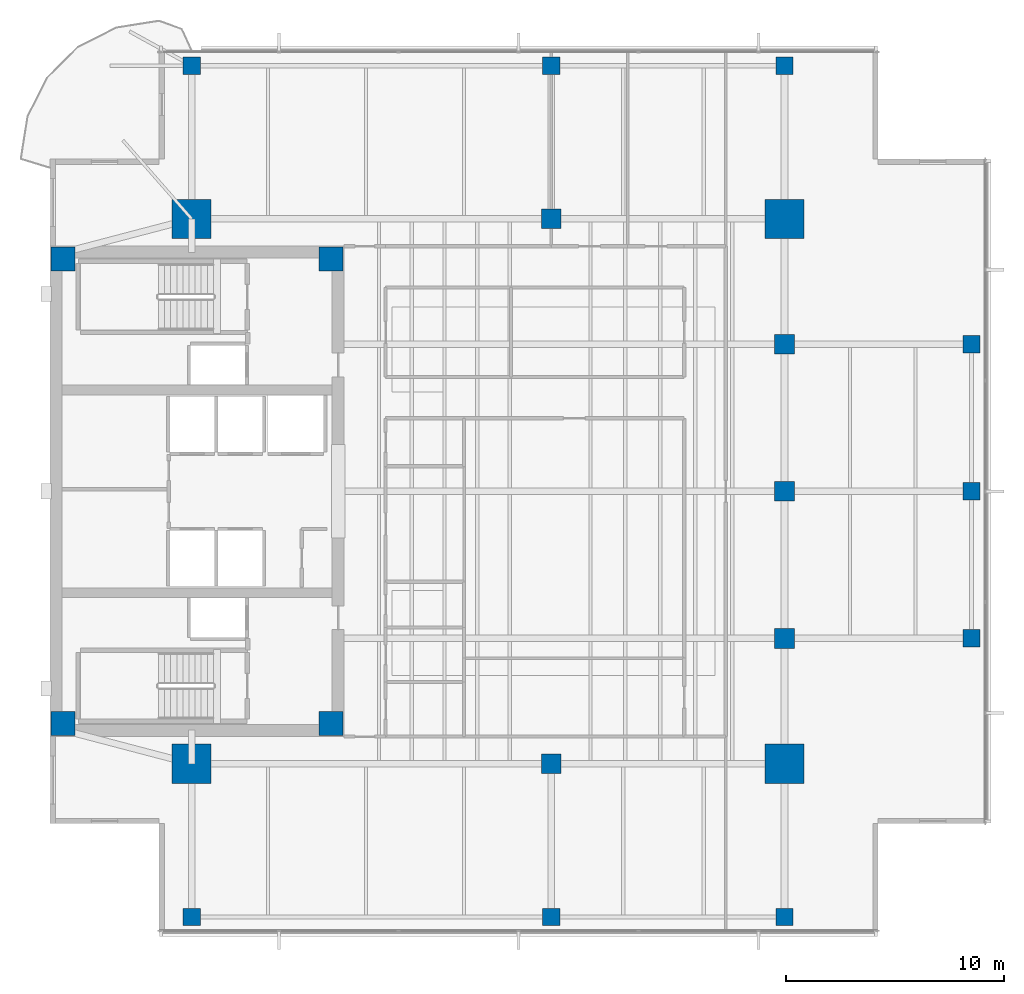
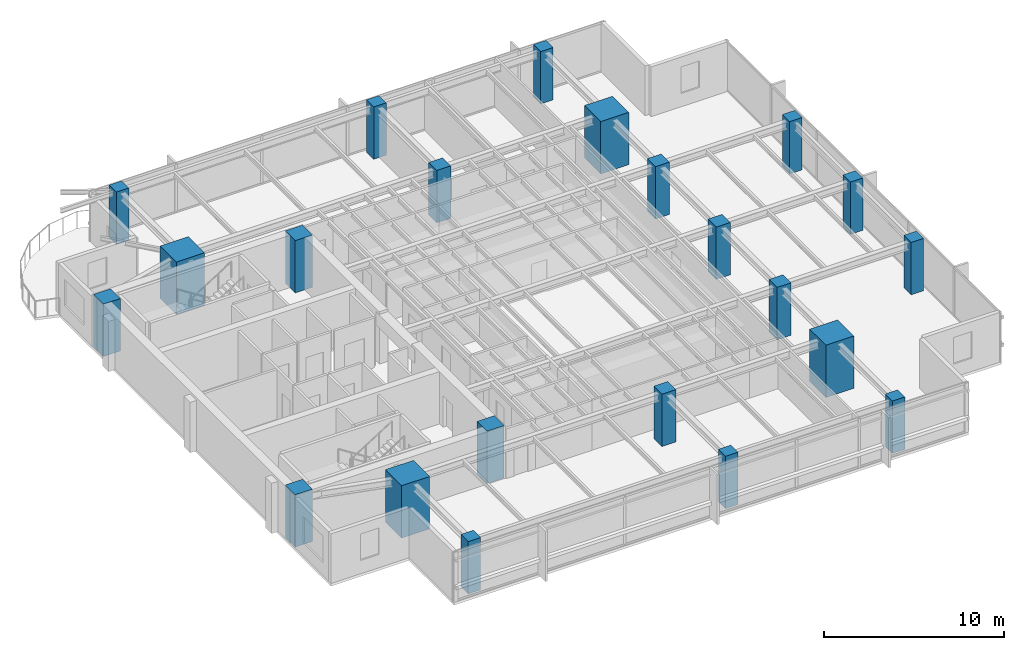
# One storey, part 1 of 14: 22 columns.
"""IFC4 building model written with IfcOpenShell, lengths in metres."""

import ifcopenshell
import ifcopenshell.guid

model = None  # the IFC model being written
_history = None  # IfcOwnerHistory: only IFC2X3 demands one
_inside = {}  # id of a spatial element -> (the spatial element, [elements in it])
_under = {}  # id of a project, library or spatial element -> (it, [spatial elements below it])
_declared = {}  # id of a project -> (the project, [libraries it declares])
_typed = {}  # id of a type object -> (the type object, [elements of that type])
_made_of = {}  # id of a material, layer set ... -> (it, [elements and type objects made of it])


def new_model(schema):
    """Start an empty IFC model of exactly this schema.

    Asked for "IFC4X3", IfcOpenShell would pick the latest addendum, in which some entities
    have other attributes; the version numbers below select the first issue.
    IFC2X3 requires an IfcOwnerHistory on every rooted entity: one is made here for all.
    """
    global model, _history
    if schema == "IFC4X3":
        model = ifcopenshell.file(schema_version=(4, 3, 0, 0))
    else:
        model = ifcopenshell.file(schema=schema)
    _inside.clear()
    _under.clear()
    _declared.clear()
    _typed.clear()
    _made_of.clear()
    _history = None
    if model.schema == "IFC2X3":
        org = make("IfcOrganization", Name="unknown")
        user = make(
            "IfcPersonAndOrganization",
            ThePerson=make("IfcPerson", FamilyName="unknown"),
            TheOrganization=org,
        )
        app = make(
            "IfcApplication",
            ApplicationDeveloper=org,
            Version="unknown",
            ApplicationFullName="unknown",
            ApplicationIdentifier="unknown",
        )
        _history = make(
            "IfcOwnerHistory",
            OwningUser=user,
            OwningApplication=app,
            ChangeAction="ADDED",
            CreationDate=0,
        )
    return model


def make(cls, **values):
    """One entity of the class cls with the attributes given. An attribute that is None is left unset."""
    return model.create_entity(
        cls, **{name: value for name, value in values.items() if value is not None}
    )


def rooted(cls, **values):
    """An entity with a GlobalId (a new one), such as an element, a storey or a relation."""
    return make(cls, GlobalId=ifcopenshell.guid.new(), OwnerHistory=_history, **values)


def si_unit(unit_type, name, prefix=None):
    """IfcSIUnit, for example si_unit("LENGTHUNIT", "METRE", prefix="MILLI")."""
    return make("IfcSIUnit", UnitType=unit_type, Prefix=prefix, Name=name)


def assignment(units):
    """IfcUnitAssignment: the units of a project."""
    return None if units is None else make("IfcUnitAssignment", Units=units)


def point(xyz):
    """IfcCartesianPoint."""
    return None if xyz is None else make("IfcCartesianPoint", Coordinates=xyz)


def direction(xyz):
    """IfcDirection."""
    return None if xyz is None else make("IfcDirection", DirectionRatios=xyz)


def frame(location, z_axis=None, x_axis=None):
    """IfcAxis2Placement3D, a coordinate frame: its origin and axes. An axis left out is left unset."""
    return make(
        "IfcAxis2Placement3D",
        Location=point(location),
        Axis=direction(z_axis),
        RefDirection=direction(x_axis),
    )


def frame_2d(location, x_axis=None):
    """IfcAxis2Placement2D, a coordinate frame in the plane: its origin and x axis."""
    return make(
        "IfcAxis2Placement2D", Location=point(location), RefDirection=direction(x_axis)
    )


def origin():
    """The frame at (0, 0, 0) with its axes left unset."""
    return frame((0.0, 0.0, 0.0))


def origin_2d():
    """The frame at (0, 0) in the plane with its x axis left unset."""
    return frame_2d((0.0, 0.0))


def place(relative_to, where):
    """IfcLocalPlacement: puts the frame where relative to a parent placement (None: the world)."""
    return make(
        "IfcLocalPlacement", PlacementRelTo=relative_to, RelativePlacement=where
    )


def context(
    kind, dimensions, precision=None, world=None, true_north=None, identifier=None
):
    """IfcGeometricRepresentationContext, for example the 3D "Model" context."""
    return make(
        "IfcGeometricRepresentationContext",
        ContextIdentifier=identifier,
        ContextType=kind,
        CoordinateSpaceDimension=dimensions,
        Precision=precision,
        WorldCoordinateSystem=world,
        TrueNorth=true_north,
    )


def subcontext(parent, identifier, kind, view, scale=None):
    """IfcGeometricRepresentationSubContext, for example "Body" below "Model"."""
    return make(
        "IfcGeometricRepresentationSubContext",
        ContextIdentifier=identifier,
        ContextType=kind,
        ParentContext=parent,
        TargetScale=scale,
        TargetView=view,
    )


def project(units=None, contexts=None):
    """IfcProject with its units and contexts."""
    return rooted(
        "IfcProject",
        Name="project",
        RepresentationContexts=contexts,
        UnitsInContext=assignment(units),
    )


def spatial(cls, under=None, at=None, **own):
    """A site, building, storey or space (cls), placed at a placement, below another one or the project."""
    s = rooted(cls, ObjectPlacement=at, **own)
    if under is not None:
        _under.setdefault(under.id(), (under, []))[1].append(s)
    return s


def profile(cls, at=None, kind="AREA", **sizes):
    """A parametric profile (cls). Its sizes go by their IFC names, for example OverallWidth=200.0."""
    return make(cls, ProfileType=kind, Position=at, **sizes)


def rectangle(**sizes):
    """IfcRectangleProfileDef."""
    return profile("IfcRectangleProfileDef", **sizes)


def extrude(swept, where, along, depth):
    """IfcExtrudedAreaSolid: the profile swept, set in the frame where, extruded along a direction by depth."""
    return make(
        "IfcExtrudedAreaSolid",
        SweptArea=swept,
        Position=where,
        ExtrudedDirection=direction(along),
        Depth=depth,
    )


def shape(context_of_items, identifier, shape_type, items):
    """IfcShapeRepresentation: the items that make up one representation, for example the "Body"."""
    return make(
        "IfcShapeRepresentation",
        ContextOfItems=context_of_items,
        RepresentationIdentifier=identifier,
        RepresentationType=shape_type,
        Items=items,
    )


def material(Name=None, Category=None):
    """IfcMaterial."""
    return make("IfcMaterial", Name=Name, Category=Category)


def material_profile(
    of_material, cross_section, Name=None, Category=None, Priority=None
):
    """IfcMaterialProfile: a cross section and its material."""
    return make(
        "IfcMaterialProfile",
        Name=Name,
        Material=of_material,
        Profile=cross_section,
        Priority=Priority,
        Category=Category,
    )


def profile_set(profiles, Name=None, composite=None):
    """IfcMaterialProfileSet."""
    return make(
        "IfcMaterialProfileSet",
        Name=Name,
        MaterialProfiles=profiles,
        CompositeProfile=composite,
    )


def made_of(thing, what):
    """Note that an element or type object is made of a material, layer set ...; save() writes the relation."""
    if what is not None:
        _made_of.setdefault(what.id(), (what, []))[1].append(thing)
    return thing


def type_object(cls, material=None, **own):
    """A type object (cls), such as IfcWallType, which elements share."""
    return made_of(rooted(cls, **own), material)


def element(
    cls,
    number,
    at=None,
    inside=None,
    cuts=None,
    type_object=None,
    material=None,
    context=None,
    identifier="Body",
    shape_type=None,
    held_by="IfcProductDefinitionShape",
    body=None,
    shapes=None,
    **own,
):
    """One element of the class cls, such as IfcWall. Its Tag is "e" and its number.

    at: its placement. inside: the storey or other place that contains it. cuts: it is an
    opening in that element (IfcRelVoidsElement). A single representation is given by context,
    identifier, shape_type and body (its items); several are given by shapes. held_by: the class
    of the entity that holds the representations. save() writes the other relations.
    """
    e = rooted(cls, Tag="e%d" % number, ObjectPlacement=at, **own)
    if body is not None:
        shapes = [shape(context, identifier, shape_type, body)]
    if shapes is not None:
        e.Representation = make(held_by, Representations=shapes)
    if inside is not None:
        _inside.setdefault(inside.id(), (inside, []))[1].append(e)
    if cuts is not None:
        rooted(
            "IfcRelVoidsElement", RelatingBuildingElement=cuts, RelatedOpeningElement=e
        )
    if type_object is not None:
        _typed.setdefault(type_object.id(), (type_object, []))[1].append(e)
    return made_of(e, material)


def aggregate(whole, parts):
    """IfcRelAggregates: a whole, such as a stair, and the parts it consists of."""
    return rooted("IfcRelAggregates", RelatingObject=whole, RelatedObjects=parts)


def save(model, path):
    """Write the relations noted so far, then the file.

    IfcRelAggregates (storeys below a building ...), IfcRelContainedInSpatialStructure (elements
    in a storey), IfcRelDefinesByType, IfcRelAssociatesMaterial and IfcRelDeclares: one each for
    every whole, place, type object, material and project.
    """
    for whole, parts in _under.values():
        aggregate(whole, parts)
    for where, things in _inside.values():
        rooted(
            "IfcRelContainedInSpatialStructure",
            RelatedElements=things,
            RelatingStructure=where,
        )
    for kind, things in _typed.values():
        rooted("IfcRelDefinesByType", RelatedObjects=things, RelatingType=kind)
    for what, things in _made_of.values():
        rooted("IfcRelAssociatesMaterial", RelatedObjects=things, RelatingMaterial=what)
    for by, libraries in _declared.values():
        rooted("IfcRelDeclares", RelatingContext=by, RelatedDefinitions=libraries)
    model.write(path)


model = new_model("IFC4")

# Units and contexts
model_context = context("Model", 3, precision=1e-05, world=origin(), true_north=direction((0.0, 1.0)))
body_context = subcontext(model_context, "Body", "Model", "MODEL_VIEW")
ifc_project = project(units=[si_unit("LENGTHUNIT", "METRE"), si_unit("AREAUNIT", "SQUARE_METRE"), si_unit("VOLUMEUNIT", "CUBIC_METRE"), si_unit("PLANEANGLEUNIT", "RADIAN"), si_unit("MASSUNIT", "GRAM", prefix="KILO")], contexts=[model_context])

# Site, building, storey
site_placement = place(None, origin())
site = spatial("IfcSite", under=ifc_project, at=site_placement, CompositionType="ELEMENT")
building_placement = place(site_placement, origin())
building = spatial("IfcBuilding", under=site, at=building_placement, Name="Kinhvarn Gate Tower", CompositionType="ELEMENT")
storey_placement = place(building_placement, frame((0.0, 0.0, 234.199951171875)))
storey = spatial("IfcBuildingStorey", under=building, at=storey_placement, Name="L62", CompositionType="ELEMENT", Elevation=234.199951171875)

# Columns
ifc_material_1 = material(Name="Concrete C60/75", Category="concrete")
ifc_material_profile_1 = material_profile(ifc_material_1, rectangle(XDim=1.800048828125, YDim=1.800048828125, at=origin_2d()), Name="RC 1800x1800")
ifc_profile_set_1 = profile_set([ifc_material_profile_1], Name="Concrete C60/75")
column_type_1 = type_object("IfcColumnType", Name="COL-MC-1800", PredefinedType="COLUMN", material=ifc_profile_set_1)
for number, where, z_axis, x_axis, name in (
    (1, (11.0, 12.75, 0.0), (0.0, 0.0, 1.0), (1.0, 0.0, 0.0), "Column MC1-L62 (MC-18)"),
    (2, (11.0, 37.75, 0.0), (0.0, 0.0, 1.0), (1.0, 0.0, 0.0), "Column MC4-L62 (MC-18)"),
    (3, (38.199951171875, 12.75, 0.0), (0.0, 0.0, 1.0), (1.0, 0.0, 0.0), "Column MC2-L62 (MC-18)"),
    (4, (38.199951171875, 37.75, 0.0), (0.0, 0.0, 1.0), (1.0, 0.0, 0.0), "Column MC3-L62 (MC-18)"),
):
    element("IfcColumn", number, at=place(storey_placement, frame(where, z_axis=z_axis, x_axis=x_axis)), inside=storey, type_object=column_type_1, Name=name, PredefinedType="COLUMN", context=body_context, shape_type="SweptSolid", body=[
        extrude(rectangle(XDim=1.800048828125, YDim=1.800048828125, at=origin_2d()), origin(), (0.0, 0.0, 1.0), 3.550048828125),
    ])
ifc_material_2 = material(Name="Concrete C50/60", Category="concrete")
ifc_material_profile_2 = material_profile(ifc_material_2, rectangle(XDim=0.800048828125, YDim=0.800048828125, at=origin_2d()), Name="RC 800x800")
ifc_profile_set_2 = profile_set([ifc_material_profile_2], Name="Concrete C50/60")
column_type_2 = type_object("IfcColumnType", Name="COL-RC-800", PredefinedType="COLUMN", material=ifc_profile_set_2)
for number, where, z_axis, x_axis, name in (
    (5, (46.780029296875, 18.5, 0.0), (0.0, 0.0, 1.0), (1.0, 0.0, 0.0), "Column CE-1-L62 (C-080)"),
    (6, (46.780029296875, 25.25, 0.0), (0.0, 0.0, 1.0), (1.0, 0.0, 0.0), "Column CE-2-L62 (C-080)"),
    (7, (46.780029296875, 32.0, 0.0), (0.0, 0.0, 1.0), (1.0, 0.0, 0.0), "Column CE-3-L62 (C-080)"),
    (8, (11.0, 5.719970703125, 0.0), (0.0, 0.0, 1.0), (1.0, 0.0, 0.0), "Column CS-0-L62 (C-080)"),
    (9, (27.5, 5.719970703125, 0.0), (0.0, 0.0, 1.0), (1.0, 0.0, 0.0), "Column CS-1-L62 (C-080)"),
    (10, (38.199951171875, 5.719970703125, 0.0), (0.0, 0.0, 1.0), (1.0, 0.0, 0.0), "Column CS-2-L62 (C-080)"),
    (11, (11.0, 44.780029296875, 0.0), (0.0, 0.0, 1.0), (1.0, 0.0, 0.0), "Column CN-0-L62 (C-080)"),
    (12, (27.5, 44.780029296875, 0.0), (0.0, 0.0, 1.0), (1.0, 0.0, 0.0), "Column CN-1-L62 (C-080)"),
    (13, (38.199951171875, 44.780029296875, 0.0), (0.0, 0.0, 1.0), (1.0, 0.0, 0.0), "Column CN-2-L62 (C-080)"),
):
    element("IfcColumn", number, at=place(storey_placement, frame(where, z_axis=z_axis, x_axis=x_axis)), inside=storey, type_object=column_type_2, Name=name, PredefinedType="COLUMN", context=body_context, shape_type="SweptSolid", body=[
        extrude(rectangle(XDim=0.800048828125, YDim=0.800048828125, at=origin_2d()), origin(), (0.0, 0.0, 1.0), 3.550048828125),
    ])
ifc_material_profile_3 = material_profile(ifc_material_1, rectangle(XDim=0.89990234375, YDim=0.89990234375, at=origin_2d()), Name="RC 900x900")
ifc_profile_set_3 = profile_set([ifc_material_profile_3], Name="Concrete C60/75")
column_type_3 = type_object("IfcColumnType", Name="COL-RC-900", PredefinedType="COLUMN", material=ifc_profile_set_3)
for number, where, z_axis, x_axis, name in (
    (14, (27.5, 12.75, 0.0), (0.0, 0.0, 1.0), (1.0, 0.0, 0.0), "Column SP27-S-L62 (C-090)"),
    (15, (27.5, 37.75, 0.0), (0.0, 0.0, 1.0), (1.0, 0.0, 0.0), "Column SP27-N-L62 (C-090)"),
    (16, (38.199951171875, 18.5, 0.0), (0.0, 0.0, 1.0), (1.0, 0.0, 0.0), "Column SP38-E1-L62 (C-090)"),
    (17, (38.199951171875, 25.25, 0.0), (0.0, 0.0, 1.0), (1.0, 0.0, 0.0), "Column SP38-E2-L62 (C-090)"),
    (18, (38.199951171875, 32.0, 0.0), (0.0, 0.0, 1.0), (1.0, 0.0, 0.0), "Column SP38-E3-L62 (C-090)"),
):
    element("IfcColumn", number, at=place(storey_placement, frame(where, z_axis=z_axis, x_axis=x_axis)), inside=storey, type_object=column_type_3, Name=name, PredefinedType="COLUMN", context=body_context, shape_type="SweptSolid", body=[
        extrude(rectangle(XDim=0.89990234375, YDim=0.89990234375, at=origin_2d()), origin(), (0.0, 0.0, 1.0), 3.550048828125),
    ])
ifc_material_profile_4 = material_profile(ifc_material_1, rectangle(XDim=1.10009765625, YDim=1.10009765625, at=origin_2d()), Name="RC 1100x1100")
ifc_profile_set_4 = profile_set([ifc_material_profile_4], Name="Concrete C60/75")
column_type_4 = type_object("IfcColumnType", Name="PIL-RC-1100", PredefinedType="PILASTER", material=ifc_profile_set_4)
for number, where, z_axis, x_axis, name in (
    (19, (5.10009765625, 14.60009765625, 0.0), (0.0, 0.0, 1.0), (1.0, 0.0, 0.0), "Column CC-SW-L62 (CP-110)"),
    (20, (5.10009765625, 35.89990234375, 0.0), (0.0, 0.0, 1.0), (1.0, 0.0, 0.0), "Column CC-NW-L62 (CP-110)"),
    (21, (17.39990234375, 14.60009765625, 0.0), (0.0, 0.0, 1.0), (1.0, 0.0, 0.0), "Column CC-SE-L62 (CP-110)"),
    (22, (17.39990234375, 35.89990234375, 0.0), (0.0, 0.0, 1.0), (1.0, 0.0, 0.0), "Column CC-NE-L62 (CP-110)"),
):
    element("IfcColumn", number, at=place(storey_placement, frame(where, z_axis=z_axis, x_axis=x_axis)), inside=storey, type_object=column_type_4, Name=name, PredefinedType="PILASTER", context=body_context, shape_type="SweptSolid", body=[
        extrude(rectangle(XDim=1.10009765625, YDim=1.10009765625, at=origin_2d()), origin(), (0.0, 0.0, 1.0), 3.550048828125),
    ])

save(model, "model.ifc")
